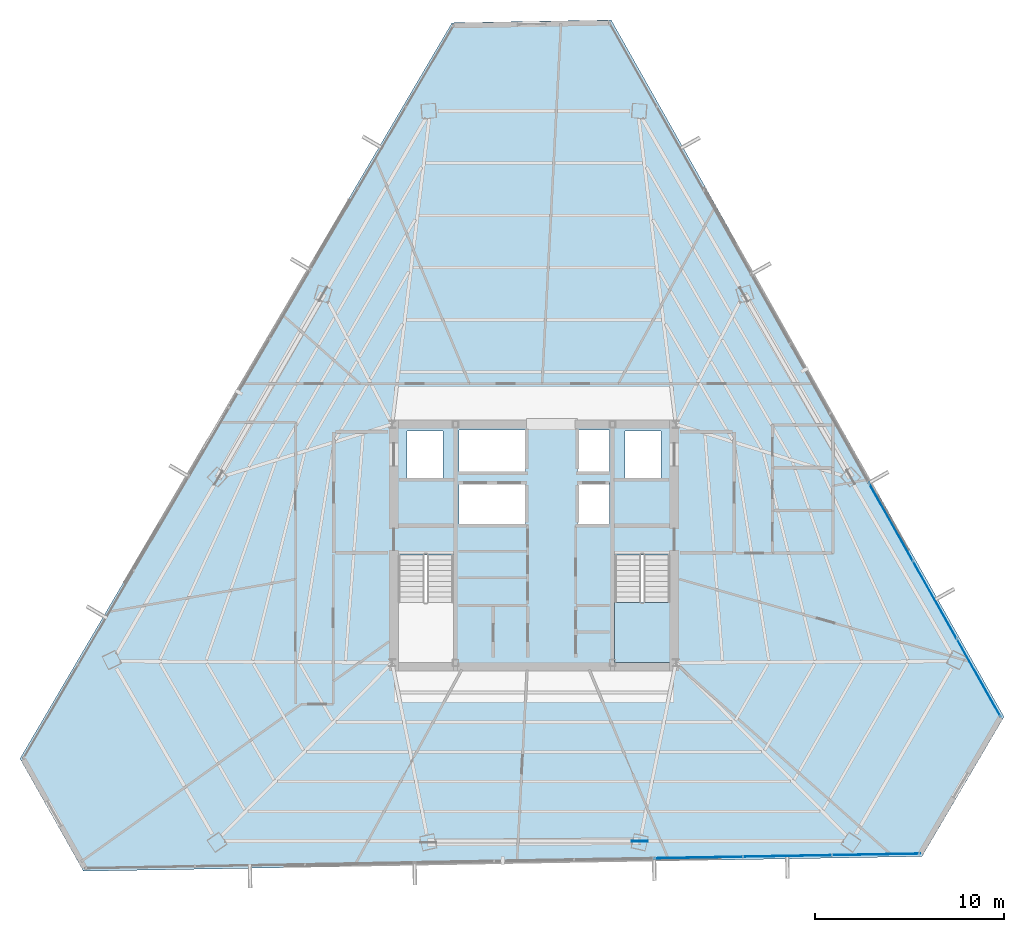
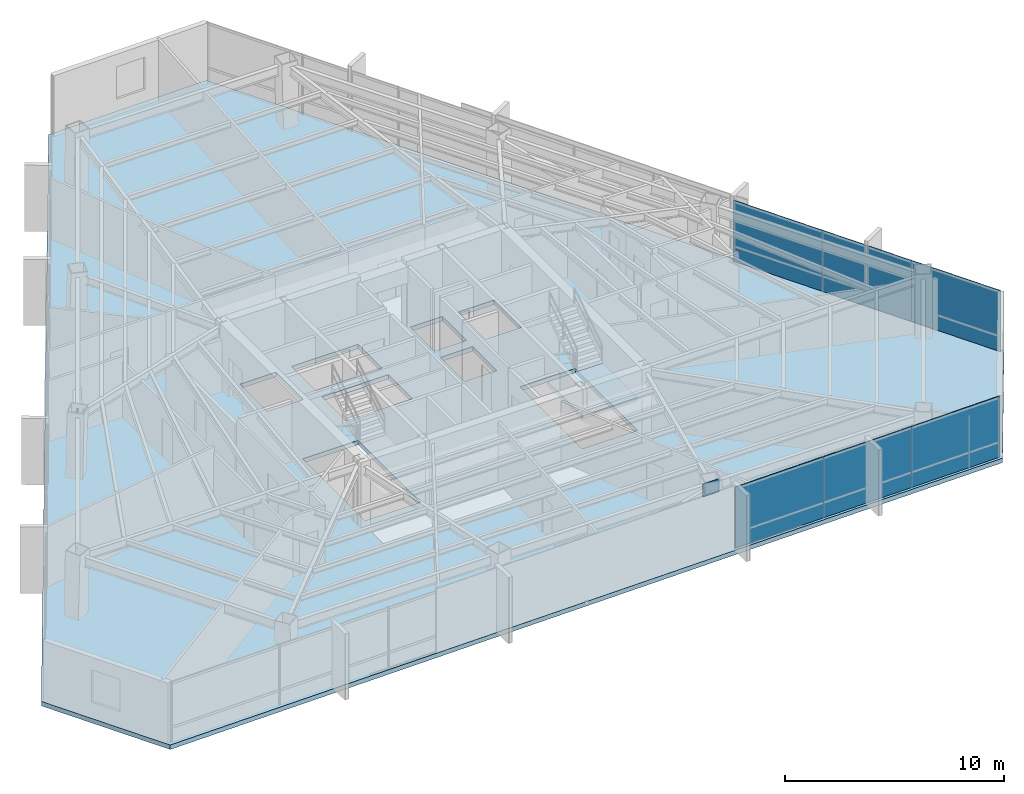
# One storey, part 34 of 42: 7 plates, 2 slabs, 3 elements without a shape of their own.
"""IFC4 building model written with IfcOpenShell, lengths in metres."""

from ifc_helpers import new_model, si_unit, direction, frame, origin, origin_2d, place, context, subcontext, project, spatial, polyline, rectangle, outline, extrude, source, transform, mapped, material, layer, layer_set, type_object, type_shapes, element, aggregate, save


model = new_model("IFC4")

# Units and contexts
model_context = context("Model", 3, precision=1e-05, world=origin(), true_north=direction((0.0, 1.0)))
body_context = subcontext(model_context, "Body", "Model", "MODEL_VIEW")
ifc_project = project(units=[si_unit("LENGTHUNIT", "METRE"), si_unit("AREAUNIT", "SQUARE_METRE"), si_unit("VOLUMEUNIT", "CUBIC_METRE"), si_unit("PLANEANGLEUNIT", "RADIAN"), si_unit("MASSUNIT", "GRAM", prefix="KILO")], contexts=[model_context])

# Site, building, storey
site_placement = place(None, origin())
site = spatial("IfcSite", under=ifc_project, at=site_placement, CompositionType="ELEMENT")
building_placement = place(site_placement, origin())
building = spatial("IfcBuilding", under=site, at=building_placement, Name="Caelisora Broadcast Tower", CompositionType="ELEMENT")
storey_placement = place(building_placement, frame((0.0, 0.0, 184.050048828125)))
storey = spatial("IfcBuildingStorey", under=building, at=storey_placement, Name="L48", CompositionType="ELEMENT", Elevation=184.050048828125)

# Slab
ifc_material_1 = material(Name="Concrete 40 MPa (AS 3600 N40)", Category="concrete")
ifc_layer_1 = layer(ifc_material_1, 0.25, Name="Concrete 40 MPa (AS 3600 N40)")
ifc_layer_set_1 = layer_set([ifc_layer_1], Name="Concrete 40 MPa (AS 3600 N40)")
slab_type_1 = type_object("IfcSlabType", Name="SL04", PredefinedType="FLOOR", material=ifc_layer_set_1)
slab_1_placement = place(storey_placement, frame((0.0, 0.0, -0.25)))
element("IfcSlab", 1, at=slab_1_placement, inside=storey, type_object=slab_type_1, Name="L48 suspended floor SL04", PredefinedType="FLOOR", context=body_context, shape_type="SweptSolid", body=[
    extrude(outline(polyline([(42.075927734375, 51.35791015625), (33.66796875, 51.2109375), (10.842041015625, 12.3330078125), (14.196044921875, 6.384033203125), (58.5009765625, 7.162109375), (62.8330078125, 14.5400390625), (42.075927734375, 51.35791015625)]), holes=[polyline([(30.820068359375, 17.39990234375), (33.739990234375, 17.39990234375), (33.739990234375, 23.080078125), (30.820068359375, 23.080078125), (30.820068359375, 17.39990234375)]), polyline([(42.260009765625, 17.39990234375), (45.179931640625, 17.39990234375), (45.179931640625, 23.080078125), (42.260009765625, 23.080078125), (42.260009765625, 17.39990234375)]), polyline([(42.800048828125, 27.14990234375), (44.699951171875, 27.14990234375), (44.699951171875, 29.64990234375), (42.800048828125, 29.64990234375), (42.800048828125, 27.14990234375)]), polyline([(40.300048828125, 24.719970703125), (42.0, 24.719970703125), (42.0, 26.919921875), (40.300048828125, 26.919921875), (40.300048828125, 24.719970703125)]), polyline([(40.300048828125, 27.5), (42.0, 27.5), (42.0, 29.699951171875), (40.300048828125, 29.699951171875), (40.300048828125, 27.5)]), polyline([(34.050048828125, 24.719970703125), (37.550048828125, 24.719970703125), (37.550048828125, 26.919921875), (34.050048828125, 26.919921875), (34.050048828125, 24.719970703125)]), polyline([(34.050048828125, 27.5), (37.550048828125, 27.5), (37.550048828125, 29.699951171875), (34.050048828125, 29.699951171875), (34.050048828125, 27.5)]), polyline([(31.300048828125, 27.14990234375), (33.199951171875, 27.14990234375), (33.199951171875, 29.64990234375), (31.300048828125, 29.64990234375), (31.300048828125, 27.14990234375)])]), origin(), (0.0, 0.0, 1.0), 0.25),
])

# Stair, slab
stair_type = type_object("IfcStairType", Name="ST-2", PredefinedType="HALF_TURN_STAIR", material=ifc_material_1)
stair_placement = place(storey_placement, origin())
stair = element("IfcStair", 2, at=stair_placement, inside=storey, type_object=stair_type, Name="L48 East Fire-Isolated Tower Stair", PredefinedType="HALF_TURN_STAIR")
ifc_layer_2 = layer(ifc_material_1, 0.199951171875, Name="Concrete 40 MPa (AS 3600 N40)")
ifc_layer_set_2 = layer_set([ifc_layer_2], Name="Concrete 40 MPa (AS 3600 N40)")
slab_type_2 = type_object("IfcSlabType", Name="STL-1", PredefinedType="LANDING", material=ifc_layer_set_2)
slab_2_placement = place(storey_placement, frame((0.0, 0.0, 1.625)))
slab_2 = element("IfcSlab", 3, at=slab_2_placement, type_object=slab_type_2, Name="ST-2 landing 1", PredefinedType="LANDING", context=body_context, shape_type="SweptSolid", body=[
    extrude(outline(polyline([(42.260009765625, 20.580078125), (42.260009765625, 17.39990234375), (45.179931640625, 17.39990234375), (45.179931640625, 20.580078125), (42.260009765625, 20.580078125)])), origin(), (0.0, 0.0, 1.0), 0.199951171875),
])
aggregate(stair, [slab_2])

# Plate
ifc_material_2 = material(Name="Steel Grade 350 L15 (AS/NZS 3678)", Category="steel")
ifc_layer_3 = layer(ifc_material_2, 0.0400390625, Name="Steel Grade 350 L15 (AS/NZS 3678)")
ifc_layer_set_3 = layer_set([ifc_layer_3], Name="Steel Grade 350 L15 (AS/NZS 3678)")
plate_type_1 = type_object("IfcPlateType", Name="GP04", PredefinedType="USERDEFINED", material=ifc_layer_set_3)
shared_shape_1 = source(origin(), body_context, "Body", "SweptSolid", [
    extrude(rectangle(XDim=0.85009765625, YDim=0.0400390625, at=origin_2d()), origin(), (0.0, 0.0, 1.0), 0.699951171875),
])
type_shapes(plate_type_1, [shared_shape_1])
plate_1_placement = place(storey_placement, frame((43.59619140625, 7.97119140625, 2.72998046875), z_axis=(0.0, 0.0, 1.0), x_axis=(1.0, 0.0, 0.0)))
element("IfcPlate", 4, at=plate_1_placement, inside=storey, type_object=plate_type_1, Name="L48 gusset plate GP04 (ND-L48-C07T)", ObjectType="GUSSET PLATE", PredefinedType="USERDEFINED", context=body_context, shape_type="MappedRepresentation", body=[
    mapped(shared_shape_1, transform((0.0, 0.0, 0.0), scale=1.0)),
])

# Curtain wall, plates
ifc_material_3 = material(Name="Unitised Aluminium and Low-E Glass Curtain Wall", Category="glass")
curtain_wall_type = type_object("IfcCurtainWallType", Name="CW-Z4", PredefinedType="NOTDEFINED", material=ifc_material_3)
curtain_wall_1_placement = place(storey_placement, origin())
curtain_wall_1 = element("IfcCurtainWall", 5, at=curtain_wall_1_placement, inside=storey, type_object=curtain_wall_type, Name="L48 curtain wall CW-Z4", PredefinedType="NOTDEFINED")
ifc_material_4 = material(Name="Double Glazed Low-E Argon IGU", Category="glass")
ifc_layer_4 = layer(ifc_material_4, 0.030029296875, Name="Double Glazed Low-E Argon IGU")
ifc_layer_set_4 = layer_set([ifc_layer_4], Name="Double Glazed Low-E Argon IGU")
plate_type_2 = type_object("IfcPlateType", Name="CWP-05", PredefinedType="CURTAIN_PANEL", material=ifc_layer_set_4)
shared_shape_2 = source(origin(), body_context, "Body", "SweptSolid", [
    extrude(rectangle(XDim=4.7265625, YDim=0.030029296875, at=origin_2d()), origin(), (0.0, 0.0, 1.0), 3.39990234375),
])
plate_2_placement = place(storey_placement, frame((56.856689453125, 24.835205078125, 0.0), z_axis=(0.0, 0.0, 1.0), x_axis=(0.491055801632, -0.871128118983, 0.0)))
plate_2 = element("IfcPlate", 6, at=plate_2_placement, type_object=plate_type_2, Name="L48-CW-B03 glazed panel #1", PredefinedType="CURTAIN_PANEL", context=body_context, shape_type="MappedRepresentation", body=[
    mapped(shared_shape_2, transform((0.0, 0.0, 0.0), scale=1.0)),
])
plate_3_placement = place(storey_placement, frame((59.177978515625, 20.718017578125, 0.0), z_axis=(0.0, 0.0, 1.0), x_axis=(0.491055801632, -0.871128118983, 0.0)))
plate_3 = element("IfcPlate", 7, at=plate_3_placement, type_object=plate_type_2, Name="L48-CW-B03 glazed panel #2", PredefinedType="CURTAIN_PANEL", context=body_context, shape_type="MappedRepresentation", body=[
    mapped(shared_shape_2, transform((0.0, 0.0, 0.0), scale=1.0)),
])
plate_4_placement = place(storey_placement, frame((61.499267578125, 16.6005859375, 0.0), z_axis=(0.0, 0.0, 1.0), x_axis=(0.491055801632, -0.871128118983, 0.0)))
plate_4 = element("IfcPlate", 8, at=plate_4_placement, type_object=plate_type_2, Name="L48-CW-B03 glazed panel #3", PredefinedType="CURTAIN_PANEL", context=body_context, shape_type="MappedRepresentation", body=[
    mapped(shared_shape_2, transform((0.0, 0.0, 0.0), scale=1.0)),
])
aggregate(curtain_wall_1, [plate_2, plate_3, plate_4])

curtain_wall_2_placement = place(storey_placement, origin())
curtain_wall_2 = element("IfcCurtainWall", 9, at=curtain_wall_2_placement, inside=storey, type_object=curtain_wall_type, Name="L48 curtain wall CW-Z4", PredefinedType="NOTDEFINED")
shared_shape_3 = source(origin(), body_context, "Body", "SweptSolid", [
    extrude(rectangle(XDim=4.68896484375, YDim=0.030029296875, at=origin_2d()), origin(), (0.0, 0.0, 1.0), 3.39990234375),
])
type_shapes(plate_type_2, [shared_shape_2, shared_shape_3])
plate_5_placement = place(storey_placement, frame((56.06982421875, 7.268798828125, 0.0), z_axis=(0.0, 0.0, 1.0), x_axis=(-0.999847695156, -0.017452406437, 0.0)))
plate_5 = element("IfcPlate", 10, at=plate_5_placement, type_object=plate_type_2, Name="L48-CW-B05 glazed panel #1", PredefinedType="CURTAIN_PANEL", context=body_context, shape_type="MappedRepresentation", body=[
    mapped(shared_shape_3, transform((0.0, 0.0, 0.0), scale=1.0)),
])
plate_6_placement = place(storey_placement, frame((51.3818359375, 7.186767578125, 0.0), z_axis=(0.0, 0.0, 1.0), x_axis=(-0.999847695156, -0.017452406437, 0.0)))
plate_6 = element("IfcPlate", 11, at=plate_6_placement, type_object=plate_type_2, Name="L48-CW-B05 glazed panel #2", PredefinedType="CURTAIN_PANEL", context=body_context, shape_type="MappedRepresentation", body=[
    mapped(shared_shape_3, transform((0.0, 0.0, 0.0), scale=1.0)),
])
plate_7_placement = place(storey_placement, frame((46.693603515625, 7.1044921875, 0.0), z_axis=(0.0, 0.0, 1.0), x_axis=(-0.999847695156, -0.017452406437, 0.0)))
plate_7 = element("IfcPlate", 12, at=plate_7_placement, type_object=plate_type_2, Name="L48-CW-B05 glazed panel #3", PredefinedType="CURTAIN_PANEL", context=body_context, shape_type="MappedRepresentation", body=[
    mapped(shared_shape_3, transform((0.0, 0.0, 0.0), scale=1.0)),
])
aggregate(curtain_wall_2, [plate_5, plate_6, plate_7])

save(model, "model.ifc")
